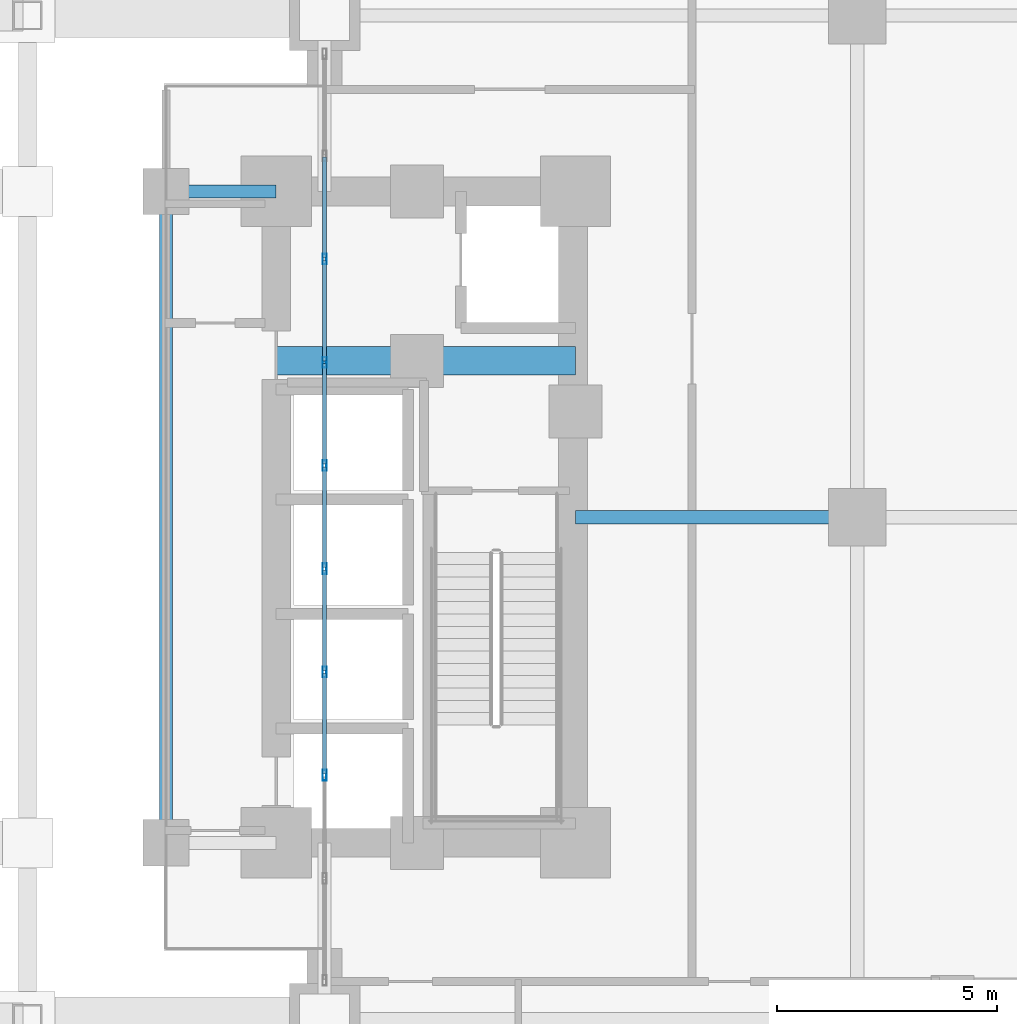
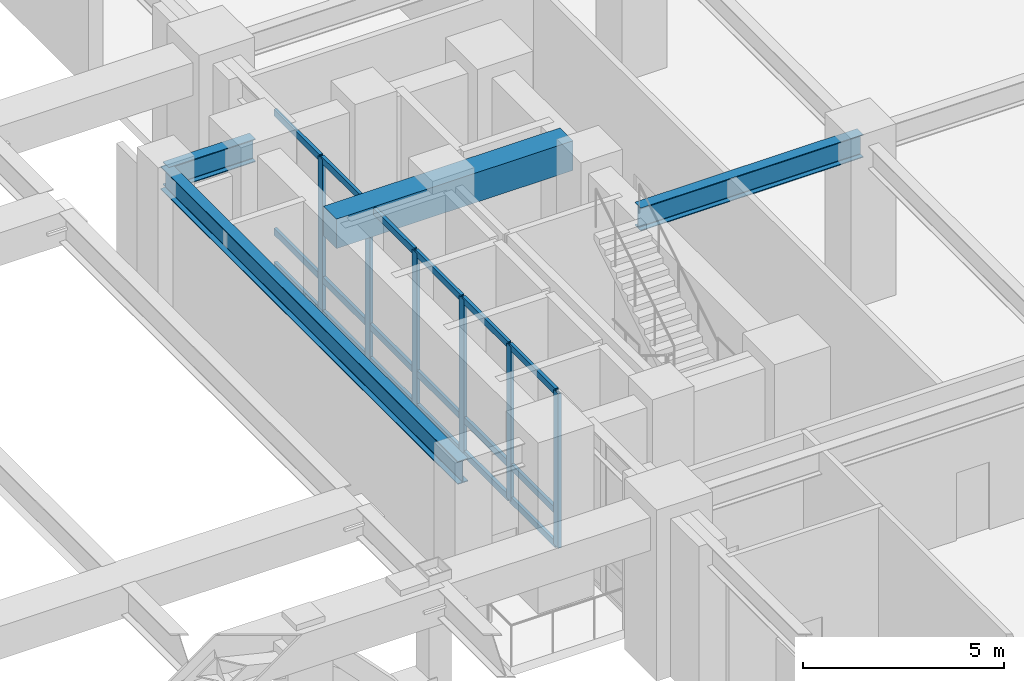
# One storey, part 8 of 26: 24 members, 4 beams, 1 element without a shape of its own.
"""IFC4 building model written with IfcOpenShell, lengths in metres."""

from ifc_helpers import new_model, si_unit, direction, frame, origin, origin_2d, place, context, subcontext, project, spatial, rectangle, hollow_rectangle, i_section, extrude, material, layer, layer_set, material_profile, profile_set, type_object, element, aggregate, save


model = new_model("IFC4")

# Units and contexts
model_context = context("Model", 3, precision=1e-05, world=origin(), true_north=direction((0.0, 1.0)))
body_context = subcontext(model_context, "Body", "Model", "MODEL_VIEW")
ifc_project = project(units=[si_unit("LENGTHUNIT", "METRE"), si_unit("AREAUNIT", "SQUARE_METRE"), si_unit("VOLUMEUNIT", "CUBIC_METRE"), si_unit("PLANEANGLEUNIT", "RADIAN"), si_unit("MASSUNIT", "GRAM", prefix="KILO")], contexts=[model_context])

# Site, building, storey
site_placement = place(None, origin())
site = spatial("IfcSite", under=ifc_project, at=site_placement, CompositionType="ELEMENT")
building_placement = place(site_placement, origin())
building = spatial("IfcBuilding", under=site, at=building_placement, Name="Voryun Gate Residences", CompositionType="ELEMENT")
storey_placement = place(building_placement, frame((0.0, 0.0, 15.60009765625)))
storey = spatial("IfcBuildingStorey", under=building, at=storey_placement, Name="L03", CompositionType="ELEMENT", Elevation=15.60009765625)

# Beams
ifc_material_1 = material(Name="Concrete C60/75", Category="concrete")
ifc_material_profile_1 = material_profile(ifc_material_1, rectangle(XDim=0.64990234375, YDim=0.89990234375, at=origin_2d()), Name="RC-650x900")
ifc_profile_set_1 = profile_set([ifc_material_profile_1], Name="Concrete C60/75")
beam_type_1 = type_object("IfcBeamType", Name="BM_COUP_RC900", PredefinedType="LINTEL", material=ifc_profile_set_1)
beam_1_placement = place(storey_placement, frame((12.39990234375, 3.550048828125, 4.349853515625), z_axis=(1.0, 0.0, 0.0), x_axis=(0.0, 1.0, 0.0)))
element("IfcBeam", 1, at=beam_1_placement, inside=storey, type_object=beam_type_1, Name="BM-L03-EC1", PredefinedType="LINTEL", context=body_context, shape_type="SweptSolid", body=[
    extrude(rectangle(XDim=0.64990234375, YDim=0.89990234375, at=origin_2d()), origin(), (0.0, 0.0, 1.0), 6.800048828125),
])
ifc_material_2 = material(Name="Steel SM355", Category="steel")
ifc_material_profile_2 = material_profile(ifc_material_2, i_section(OverallWidth=0.300048828125, OverallDepth=0.699951171875, WebThickness=0.012939453125, FlangeThickness=0.02392578125, FilletRadius=0.01806640625, at=origin_2d()), Name="H-700x300x13x24")
ifc_profile_set_2 = profile_set([ifc_material_profile_2], Name="Steel SM355")
beam_type_2 = type_object("IfcBeamType", Name="BM_GIRD_700", PredefinedType="USERDEFINED", material=ifc_profile_set_2)
beam_2_placement = place(storey_placement, frame((12.39990234375, 7.39990234375, 4.449951171875), z_axis=(-1.0, 0.0, 0.0), x_axis=(0.0, -1.0, 0.0)))
element("IfcBeam", 2, at=beam_2_placement, inside=storey, type_object=beam_type_2, Name="BM-L03-CLRX-CLR-EN", ObjectType="GIRDER", PredefinedType="USERDEFINED", context=body_context, shape_type="SweptSolid", body=[
    extrude(i_section(OverallWidth=0.300048828125, OverallDepth=0.699951171875, WebThickness=0.012939453125, FlangeThickness=0.02392578125, FilletRadius=0.01806640625, at=origin_2d()), origin(), (0.0, 0.0, 1.0), 2.5),
])
beam_3_placement = place(storey_placement, frame((9.89990234375, -7.39990234375, 4.449951171875), z_axis=(0.0, 1.0, 0.0), x_axis=(-1.0, 0.0, 0.0)))
element("IfcBeam", 3, at=beam_3_placement, inside=storey, type_object=beam_type_2, Name="BM-L03-CLRY-E", ObjectType="GIRDER", PredefinedType="USERDEFINED", context=body_context, shape_type="SweptSolid", body=[
    extrude(i_section(OverallWidth=0.300048828125, OverallDepth=0.699951171875, WebThickness=0.012939453125, FlangeThickness=0.02392578125, FilletRadius=0.01806640625, at=origin_2d()), origin(), (0.0, 0.0, 1.0), 14.7998046875),
])
beam_4_placement = place(storey_placement, frame((19.199951171875, 0.0, 4.449951171875), z_axis=(1.0, 0.0, 0.0), x_axis=(0.0, 1.0, 0.0)))
element("IfcBeam", 4, at=beam_4_placement, inside=storey, type_object=beam_type_2, Name="BM-L03-PEX-+0.0-0", ObjectType="GIRDER", PredefinedType="USERDEFINED", context=body_context, shape_type="SweptSolid", body=[
    extrude(i_section(OverallWidth=0.300048828125, OverallDepth=0.699951171875, WebThickness=0.012939453125, FlangeThickness=0.02392578125, FilletRadius=0.01806640625, at=origin_2d()), origin(), (0.0, 0.0, 1.0), 6.400146484375),
])

# Curtain wall, members
ifc_material_3 = material(Name="Anodised aluminium", Category="aluminium")
ifc_layer = layer(ifc_material_3, 0.239990234375, Name="CW_SYS_ARCH_DARK_GLASS")
ifc_layer_set = layer_set([ifc_layer], Name="Anodised aluminium")
curtain_wall_type = type_object("IfcCurtainWallType", Name="CW_SYS_ARCH_DARK_GLASS", PredefinedType="NOTDEFINED", material=ifc_layer_set)
curtain_wall_placement = place(storey_placement, origin())
curtain_wall = element("IfcCurtainWall", 5, at=curtain_wall_placement, inside=storey, type_object=curtain_wall_type, Name="Curtain wall CW2-L03-EP-M", PredefinedType="NOTDEFINED")
ifc_material_4 = material(Name="Anodised aluminium", Category="aluminium")
ifc_material_profile_3 = material_profile(ifc_material_4, hollow_rectangle(XDim=0.090087890625, YDim=0.239990234375, WallThickness=0.006103515625, at=origin_2d()), Name="ALU-MULL-240x90x6")
ifc_profile_set_3 = profile_set([ifc_material_profile_3], Name="Anodised aluminium")
member_type_1 = type_object("IfcMemberType", Name="CW_MULL_ARCH", PredefinedType="MULLION", material=ifc_profile_set_3)
member_1_placement = place(storey_placement, frame((13.5, -5.86376953125, 0.0), z_axis=(0.0, 0.0, 1.0), x_axis=(-1.0, 0.0, 0.0)))
member_1 = element("IfcMember", 6, at=member_1_placement, type_object=member_type_1, Name="CW2 mullion 3", PredefinedType="MULLION", context=body_context, shape_type="SweptSolid", body=[
    extrude(hollow_rectangle(XDim=0.090087890625, YDim=0.239990234375, WallThickness=0.006103515625, at=origin_2d()), origin(), (0.0, 0.0, 1.0), 4.699951171875),
])
member_2_placement = place(storey_placement, frame((13.5, -3.518310546875, 0.0), z_axis=(0.0, 0.0, 1.0), x_axis=(-1.0, 0.0, 0.0)))
member_2 = element("IfcMember", 7, at=member_2_placement, type_object=member_type_1, Name="CW2 mullion 4", PredefinedType="MULLION", context=body_context, shape_type="SweptSolid", body=[
    extrude(hollow_rectangle(XDim=0.090087890625, YDim=0.239990234375, WallThickness=0.006103515625, at=origin_2d()), origin(), (0.0, 0.0, 1.0), 4.699951171875),
])
member_3_placement = place(storey_placement, frame((13.5, -1.1728515625, 0.0), z_axis=(0.0, 0.0, 1.0), x_axis=(-1.0, 0.0, 0.0)))
member_3 = element("IfcMember", 8, at=member_3_placement, type_object=member_type_1, Name="CW2 mullion 5", PredefinedType="MULLION", context=body_context, shape_type="SweptSolid", body=[
    extrude(hollow_rectangle(XDim=0.090087890625, YDim=0.239990234375, WallThickness=0.006103515625, at=origin_2d()), origin(), (0.0, 0.0, 1.0), 4.699951171875),
])
member_4_placement = place(storey_placement, frame((13.5, 1.1728515625, 0.0), z_axis=(0.0, 0.0, 1.0), x_axis=(-1.0, 0.0, 0.0)))
member_4 = element("IfcMember", 9, at=member_4_placement, type_object=member_type_1, Name="CW2 mullion 6", PredefinedType="MULLION", context=body_context, shape_type="SweptSolid", body=[
    extrude(hollow_rectangle(XDim=0.090087890625, YDim=0.239990234375, WallThickness=0.006103515625, at=origin_2d()), origin(), (0.0, 0.0, 1.0), 4.699951171875),
])
member_5_placement = place(storey_placement, frame((13.5, 3.518310546875, 0.0), z_axis=(0.0, 0.0, 1.0), x_axis=(-1.0, 0.0, 0.0)))
member_5 = element("IfcMember", 10, at=member_5_placement, type_object=member_type_1, Name="CW2 mullion 7", PredefinedType="MULLION", context=body_context, shape_type="SweptSolid", body=[
    extrude(hollow_rectangle(XDim=0.090087890625, YDim=0.239990234375, WallThickness=0.006103515625, at=origin_2d()), origin(), (0.0, 0.0, 1.0), 4.699951171875),
])
member_6_placement = place(storey_placement, frame((13.5, 5.86376953125, 0.0), z_axis=(0.0, 0.0, 1.0), x_axis=(-1.0, 0.0, 0.0)))
member_6 = element("IfcMember", 11, at=member_6_placement, type_object=member_type_1, Name="CW2 mullion 8", PredefinedType="MULLION", context=body_context, shape_type="SweptSolid", body=[
    extrude(hollow_rectangle(XDim=0.090087890625, YDim=0.239990234375, WallThickness=0.006103515625, at=origin_2d()), origin(), (0.0, 0.0, 1.0), 4.699951171875),
])
ifc_material_5 = material(Name="Anodised aluminium", Category="aluminium")
ifc_material_profile_4 = material_profile(ifc_material_5, hollow_rectangle(XDim=0.090087890625, YDim=0.199951171875, WallThickness=0.006103515625, at=origin_2d()), Name="ALU-TRAN-200x90x6")
ifc_profile_set_4 = profile_set([ifc_material_profile_4], Name="Anodised aluminium")
member_type_2 = type_object("IfcMemberType", Name="CW_TRAN_ARCH", PredefinedType="USERDEFINED", material=ifc_profile_set_4)
member_7_placement = place(storey_placement, frame((13.5, -5.833984375, 0.02978515625), z_axis=(0.0, 1.0, 0.0), x_axis=(-1.0, 0.0, 0.0)))
member_7 = element("IfcMember", 12, at=member_7_placement, type_object=member_type_2, Name="CW2 transom 3.1", ObjectType="TRANSOM", PredefinedType="USERDEFINED", context=body_context, shape_type="SweptSolid", body=[
    extrude(hollow_rectangle(XDim=0.090087890625, YDim=0.199951171875, WallThickness=0.006103515625, at=origin_2d()), origin(), (0.0, 0.0, 1.0), 2.28564453125),
])
member_8_placement = place(storey_placement, frame((13.5, -5.833984375, 1.0498046875), z_axis=(0.0, 1.0, 0.0), x_axis=(-1.0, 0.0, 0.0)))
member_8 = element("IfcMember", 13, at=member_8_placement, type_object=member_type_2, Name="CW2 transom 3.2", ObjectType="TRANSOM", PredefinedType="USERDEFINED", context=body_context, shape_type="SweptSolid", body=[
    extrude(hollow_rectangle(XDim=0.090087890625, YDim=0.199951171875, WallThickness=0.006103515625, at=origin_2d()), origin(), (0.0, 0.0, 1.0), 2.28564453125),
])
member_9_placement = place(storey_placement, frame((13.5, -5.833984375, 4.669921875), z_axis=(0.0, 1.0, 0.0), x_axis=(-1.0, 0.0, 0.0)))
member_9 = element("IfcMember", 14, at=member_9_placement, type_object=member_type_2, Name="CW2 transom 3.3", ObjectType="TRANSOM", PredefinedType="USERDEFINED", context=body_context, shape_type="SweptSolid", body=[
    extrude(hollow_rectangle(XDim=0.090087890625, YDim=0.199951171875, WallThickness=0.006103515625, at=origin_2d()), origin(), (0.0, 0.0, 1.0), 2.28564453125),
])
member_10_placement = place(storey_placement, frame((13.5, -3.48828125, 0.02978515625), z_axis=(0.0, 1.0, 0.0), x_axis=(-1.0, 0.0, 0.0)))
member_10 = element("IfcMember", 15, at=member_10_placement, type_object=member_type_2, Name="CW2 transom 4.1", ObjectType="TRANSOM", PredefinedType="USERDEFINED", context=body_context, shape_type="SweptSolid", body=[
    extrude(hollow_rectangle(XDim=0.090087890625, YDim=0.199951171875, WallThickness=0.006103515625, at=origin_2d()), origin(), (0.0, 0.0, 1.0), 2.285400390625),
])
member_11_placement = place(storey_placement, frame((13.5, -3.48828125, 1.0498046875), z_axis=(0.0, 1.0, 0.0), x_axis=(-1.0, 0.0, 0.0)))
member_11 = element("IfcMember", 16, at=member_11_placement, type_object=member_type_2, Name="CW2 transom 4.2", ObjectType="TRANSOM", PredefinedType="USERDEFINED", context=body_context, shape_type="SweptSolid", body=[
    extrude(hollow_rectangle(XDim=0.090087890625, YDim=0.199951171875, WallThickness=0.006103515625, at=origin_2d()), origin(), (0.0, 0.0, 1.0), 2.285400390625),
])
member_12_placement = place(storey_placement, frame((13.5, -3.48828125, 4.669921875), z_axis=(0.0, 1.0, 0.0), x_axis=(-1.0, 0.0, 0.0)))
member_12 = element("IfcMember", 17, at=member_12_placement, type_object=member_type_2, Name="CW2 transom 4.3", ObjectType="TRANSOM", PredefinedType="USERDEFINED", context=body_context, shape_type="SweptSolid", body=[
    extrude(hollow_rectangle(XDim=0.090087890625, YDim=0.199951171875, WallThickness=0.006103515625, at=origin_2d()), origin(), (0.0, 0.0, 1.0), 2.285400390625),
])
member_13_placement = place(storey_placement, frame((13.5, -1.142822265625, 0.02978515625), z_axis=(0.0, 1.0, 0.0), x_axis=(-1.0, 0.0, 0.0)))
member_13 = element("IfcMember", 18, at=member_13_placement, type_object=member_type_2, Name="CW2 transom 5.1", ObjectType="TRANSOM", PredefinedType="USERDEFINED", context=body_context, shape_type="SweptSolid", body=[
    extrude(hollow_rectangle(XDim=0.090087890625, YDim=0.199951171875, WallThickness=0.006103515625, at=origin_2d()), origin(), (0.0, 0.0, 1.0), 2.28564453125),
])
member_14_placement = place(storey_placement, frame((13.5, -1.142822265625, 1.0498046875), z_axis=(0.0, 1.0, 0.0), x_axis=(-1.0, 0.0, 0.0)))
member_14 = element("IfcMember", 19, at=member_14_placement, type_object=member_type_2, Name="CW2 transom 5.2", ObjectType="TRANSOM", PredefinedType="USERDEFINED", context=body_context, shape_type="SweptSolid", body=[
    extrude(hollow_rectangle(XDim=0.090087890625, YDim=0.199951171875, WallThickness=0.006103515625, at=origin_2d()), origin(), (0.0, 0.0, 1.0), 2.28564453125),
])
member_15_placement = place(storey_placement, frame((13.5, -1.142822265625, 4.669921875), z_axis=(0.0, 1.0, 0.0), x_axis=(-1.0, 0.0, 0.0)))
member_15 = element("IfcMember", 20, at=member_15_placement, type_object=member_type_2, Name="CW2 transom 5.3", ObjectType="TRANSOM", PredefinedType="USERDEFINED", context=body_context, shape_type="SweptSolid", body=[
    extrude(hollow_rectangle(XDim=0.090087890625, YDim=0.199951171875, WallThickness=0.006103515625, at=origin_2d()), origin(), (0.0, 0.0, 1.0), 2.28564453125),
])
member_16_placement = place(storey_placement, frame((13.5, 1.202880859375, 0.02978515625), z_axis=(0.0, 1.0, 0.0), x_axis=(-1.0, 0.0, 0.0)))
member_16 = element("IfcMember", 21, at=member_16_placement, type_object=member_type_2, Name="CW2 transom 6.1", ObjectType="TRANSOM", PredefinedType="USERDEFINED", context=body_context, shape_type="SweptSolid", body=[
    extrude(hollow_rectangle(XDim=0.090087890625, YDim=0.199951171875, WallThickness=0.006103515625, at=origin_2d()), origin(), (0.0, 0.0, 1.0), 2.285400390625),
])
member_17_placement = place(storey_placement, frame((13.5, 1.202880859375, 1.0498046875), z_axis=(0.0, 1.0, 0.0), x_axis=(-1.0, 0.0, 0.0)))
member_17 = element("IfcMember", 22, at=member_17_placement, type_object=member_type_2, Name="CW2 transom 6.2", ObjectType="TRANSOM", PredefinedType="USERDEFINED", context=body_context, shape_type="SweptSolid", body=[
    extrude(hollow_rectangle(XDim=0.090087890625, YDim=0.199951171875, WallThickness=0.006103515625, at=origin_2d()), origin(), (0.0, 0.0, 1.0), 2.285400390625),
])
member_18_placement = place(storey_placement, frame((13.5, 1.202880859375, 4.669921875), z_axis=(0.0, 1.0, 0.0), x_axis=(-1.0, 0.0, 0.0)))
member_18 = element("IfcMember", 23, at=member_18_placement, type_object=member_type_2, Name="CW2 transom 6.3", ObjectType="TRANSOM", PredefinedType="USERDEFINED", context=body_context, shape_type="SweptSolid", body=[
    extrude(hollow_rectangle(XDim=0.090087890625, YDim=0.199951171875, WallThickness=0.006103515625, at=origin_2d()), origin(), (0.0, 0.0, 1.0), 2.285400390625),
])
member_19_placement = place(storey_placement, frame((13.5, 3.54833984375, 0.02978515625), z_axis=(0.0, 1.0, 0.0), x_axis=(-1.0, 0.0, 0.0)))
member_19 = element("IfcMember", 24, at=member_19_placement, type_object=member_type_2, Name="CW2 transom 7.1", ObjectType="TRANSOM", PredefinedType="USERDEFINED", context=body_context, shape_type="SweptSolid", body=[
    extrude(hollow_rectangle(XDim=0.090087890625, YDim=0.199951171875, WallThickness=0.006103515625, at=origin_2d()), origin(), (0.0, 0.0, 1.0), 2.28564453125),
])
member_20_placement = place(storey_placement, frame((13.5, 3.54833984375, 1.0498046875), z_axis=(0.0, 1.0, 0.0), x_axis=(-1.0, 0.0, 0.0)))
member_20 = element("IfcMember", 25, at=member_20_placement, type_object=member_type_2, Name="CW2 transom 7.2", ObjectType="TRANSOM", PredefinedType="USERDEFINED", context=body_context, shape_type="SweptSolid", body=[
    extrude(hollow_rectangle(XDim=0.090087890625, YDim=0.199951171875, WallThickness=0.006103515625, at=origin_2d()), origin(), (0.0, 0.0, 1.0), 2.28564453125),
])
member_21_placement = place(storey_placement, frame((13.5, 3.54833984375, 4.669921875), z_axis=(0.0, 1.0, 0.0), x_axis=(-1.0, 0.0, 0.0)))
member_21 = element("IfcMember", 26, at=member_21_placement, type_object=member_type_2, Name="CW2 transom 7.3", ObjectType="TRANSOM", PredefinedType="USERDEFINED", context=body_context, shape_type="SweptSolid", body=[
    extrude(hollow_rectangle(XDim=0.090087890625, YDim=0.199951171875, WallThickness=0.006103515625, at=origin_2d()), origin(), (0.0, 0.0, 1.0), 2.28564453125),
])
member_22_placement = place(storey_placement, frame((13.5, 5.893798828125, 0.02978515625), z_axis=(0.0, 1.0, 0.0), x_axis=(-1.0, 0.0, 0.0)))
member_22 = element("IfcMember", 27, at=member_22_placement, type_object=member_type_2, Name="CW2 transom 8.1", ObjectType="TRANSOM", PredefinedType="USERDEFINED", context=body_context, shape_type="SweptSolid", body=[
    extrude(hollow_rectangle(XDim=0.090087890625, YDim=0.199951171875, WallThickness=0.006103515625, at=origin_2d()), origin(), (0.0, 0.0, 1.0), 2.28564453125),
])
member_23_placement = place(storey_placement, frame((13.5, 5.893798828125, 1.0498046875), z_axis=(0.0, 1.0, 0.0), x_axis=(-1.0, 0.0, 0.0)))
member_23 = element("IfcMember", 28, at=member_23_placement, type_object=member_type_2, Name="CW2 transom 8.2", ObjectType="TRANSOM", PredefinedType="USERDEFINED", context=body_context, shape_type="SweptSolid", body=[
    extrude(hollow_rectangle(XDim=0.090087890625, YDim=0.199951171875, WallThickness=0.006103515625, at=origin_2d()), origin(), (0.0, 0.0, 1.0), 2.28564453125),
])
member_24_placement = place(storey_placement, frame((13.5, 5.893798828125, 4.669921875), z_axis=(0.0, 1.0, 0.0), x_axis=(-1.0, 0.0, 0.0)))
member_24 = element("IfcMember", 29, at=member_24_placement, type_object=member_type_2, Name="CW2 transom 8.3", ObjectType="TRANSOM", PredefinedType="USERDEFINED", context=body_context, shape_type="SweptSolid", body=[
    extrude(hollow_rectangle(XDim=0.090087890625, YDim=0.199951171875, WallThickness=0.006103515625, at=origin_2d()), origin(), (0.0, 0.0, 1.0), 2.28564453125),
])
aggregate(curtain_wall, [member_1, member_2, member_3, member_4, member_5, member_6, member_7, member_8, member_9, member_10, member_11, member_12, member_13, member_14, member_15, member_16, member_17, member_18, member_19, member_20, member_21, member_22, member_23, member_24])

save(model, "model.ifc")
